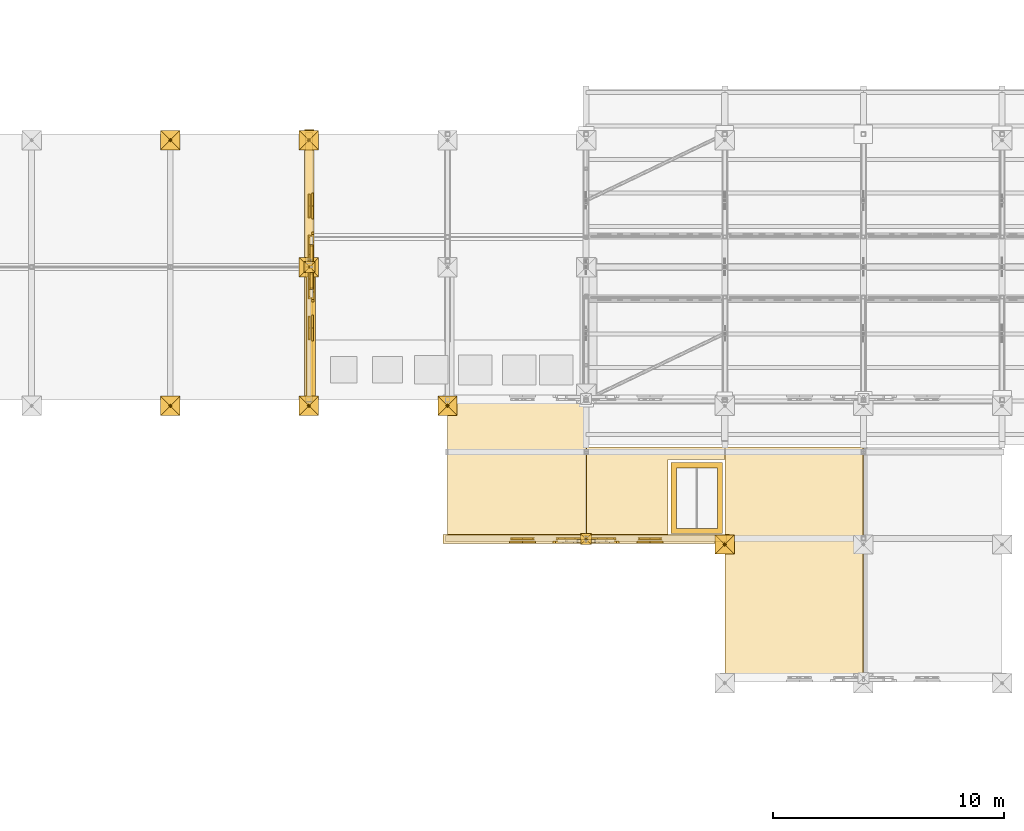
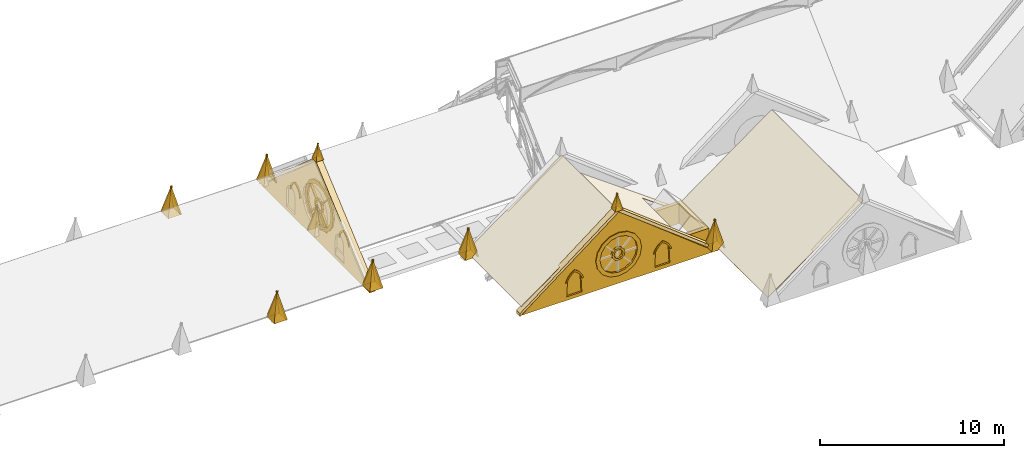
# One storey, part 26 of 33: 63 coverings.
"""IFC4 building model written with IfcOpenShell, lengths in metres."""

from ifc_helpers import new_model, si_unit, direction, frame, origin, origin_2d, place, context, subcontext, project, spatial, polyline, rectangle, outline, extrude, material, type_object, element, save


model = new_model("IFC4")

# Units and contexts
model_context = context("Model", 3, precision=1e-05, world=origin(), true_north=direction((0.0, 1.0)))
body_context = subcontext(model_context, "Body", "Model", "MODEL_VIEW")
ifc_project = project(units=[si_unit("LENGTHUNIT", "METRE"), si_unit("AREAUNIT", "SQUARE_METRE"), si_unit("VOLUMEUNIT", "CUBIC_METRE"), si_unit("PLANEANGLEUNIT", "RADIAN"), si_unit("MASSUNIT", "GRAM", prefix="KILO")], contexts=[model_context])

# Site, building, storey
site_placement = place(None, origin())
site = spatial("IfcSite", under=ifc_project, at=site_placement, CompositionType="ELEMENT")
building_placement = place(site_placement, origin())
building = spatial("IfcBuilding", under=site, at=building_placement, Name="Cumevento Cable Car Station", CompositionType="ELEMENT")
storey_placement = place(building_placement, frame((0.0, 0.0, 22.5)))
storey = spatial("IfcBuildingStorey", under=building, at=storey_placement, Name="RF", CompositionType="ELEMENT", Elevation=22.5)

# Coverings
ifc_material_1 = material(Name="Standing-Seam Zinc-Titanium Roof Sheet", Category="steel")
covering_type_1 = type_object("IfcCoveringType", Name="Standing-Seam Zinc Roofing CV-RF01", PredefinedType="ROOFING", material=ifc_material_1)
covering_1_placement = place(storey_placement, frame((58.0, 45.0, 0.418212890625), z_axis=(-0.586959453772, 0.0, 0.809616328657), x_axis=(0.0, -1.0, 0.0)))
element("IfcCovering", 1, at=covering_1_placement, inside=storey, type_object=covering_type_1, Name="Standing-Seam Zinc Roof Covering #29", PredefinedType="ROOFING", context=body_context, shape_type="SweptSolid", body=[
    extrude(outline(polyline([(0.0, 0.0), (6.0, 0.0), (6.0, 7.392523112527002), (0.0, 7.392523112527002), (0.0, 0.0)])), origin(), (0.0, 0.0, -1.0), 0.02587890625),
])
covering_2_placement = place(storey_placement, frame((64.014892578125, 42.949951171875, 4.75732421875), z_axis=(0.586928779801, 4.0947211e-05, 0.809638564895), x_axis=(2.4033097e-05, -0.999999999162, 3.3152441e-05)))
element("IfcCovering", 2, at=covering_2_placement, inside=storey, type_object=covering_type_1, Name="Standing-Seam Zinc Roof Covering #30", PredefinedType="ROOFING", context=body_context, shape_type="SweptSolid", body=[
    extrude(outline(polyline([(0.0, 0.0), (3.9499511685636097, 1.3382955130495435e-20), (3.9499511703409826, 4.353944040928056), (0.5300292982080296, 4.353944040928056), (0.530029284962468, 7.3925231072215976), (-1.1468188713774363e-08, 7.3925231072215976), (0.0, 0.0)])), origin(), (0.0, 0.0, -1.0), 0.02587890625),
])
covering_3_placement = place(storey_placement, frame((70.0, 42.949951171875, 0.43310546875), z_axis=(-0.586959453772, 0.0, 0.809616328657), x_axis=(0.0, -1.0, 0.0)))
element("IfcCovering", 3, at=covering_3_placement, inside=storey, type_object=covering_type_1, Name="Standing-Seam Zinc Roof Covering #31", PredefinedType="ROOFING", context=body_context, shape_type="SweptSolid", body=[
    extrude(outline(polyline([(0.0, 0.0), (9.949951171875, 0.0), (9.949951171875, 7.392523112527002), (0.0, 7.392523112527002), (0.0, 0.0)])), origin(), (0.0, 0.0, -1.0), 0.02587890625),
])
ifc_material_2 = material(Name="Gnaisse Facoidal Stone Ashlar 85 MPa", Category="masonry")
covering_type_2 = type_object("IfcCoveringType", Name="Gnaisse Ashlar Cladding CV-CL01", PredefinedType="CLADDING", material=ifc_material_2)
for number, where, z_axis, x_axis, name in (
    (4, (45.580078125, 45.159912109375, 0.3701171875), (0.0, 0.973845107191, 0.227212911607), (1.0, 0.0, 0.0), "Gothic Buttress Pinnacle Spire Facet 1 bt:46.0:45.0"),
    (5, (46.419921875, 45.159912109375, 0.3701171875), (0.973845107191, 0.0, 0.227212911607), (0.0, -1.0, 0.0), "Gothic Buttress Pinnacle Spire Facet 2 bt:46.0:45.0"),
    (6, (46.419921875, 44.320068359375, 0.3701171875), (0.0, -0.973845107191, 0.227212911607), (-1.0, 0.0, 0.0), "Gothic Buttress Pinnacle Spire Facet 3 bt:46.0:45.0"),
    (7, (45.580078125, 44.320068359375, 0.3701171875), (-0.973845107191, 0.0, 0.227212911607), (0.0, 1.0, 0.0), "Gothic Buttress Pinnacle Spire Facet 4 bt:46.0:45.0"),
    (8, (45.580078125, 56.659912109375, 0.3701171875), (0.0, 0.973845107191, 0.227212911607), (1.0, 0.0, 0.0), "Gothic Buttress Pinnacle Spire Facet 1 bt:46.0:56.5"),
    (9, (46.419921875, 56.659912109375, 0.3701171875), (0.973845107191, 0.0, 0.227212911607), (0.0, -1.0, 0.0), "Gothic Buttress Pinnacle Spire Facet 2 bt:46.0:56.5"),
    (10, (46.419921875, 55.820068359375, 0.3701171875), (0.0, -0.973845107191, 0.227212911607), (-1.0, 0.0, 0.0), "Gothic Buttress Pinnacle Spire Facet 3 bt:46.0:56.5"),
    (11, (45.580078125, 55.820068359375, 0.3701171875), (-0.973845107191, 0.0, 0.227212911607), (0.0, 1.0, 0.0), "Gothic Buttress Pinnacle Spire Facet 4 bt:46.0:56.5"),
    (12, (51.580078125, 45.159912109375, 0.3701171875), (0.0, 0.973845107191, 0.227212911607), (1.0, 0.0, 0.0), "Gothic Buttress Pinnacle Spire Facet 1 bt:52.0:45.0"),
    (13, (52.419921875, 45.159912109375, 0.3701171875), (0.973845107191, 0.0, 0.227212911607), (0.0, -1.0, 0.0), "Gothic Buttress Pinnacle Spire Facet 2 bt:52.0:45.0"),
    (14, (52.419921875, 44.320068359375, 0.3701171875), (0.0, -0.973845107191, 0.227212911607), (-1.0, 0.0, 0.0), "Gothic Buttress Pinnacle Spire Facet 3 bt:52.0:45.0"),
    (15, (51.580078125, 44.320068359375, 0.3701171875), (-0.973845107191, 0.0, 0.227212911607), (0.0, 1.0, 0.0), "Gothic Buttress Pinnacle Spire Facet 4 bt:52.0:45.0"),
    (16, (51.580078125, 51.159912109375, 0.3701171875), (0.0, 0.973845107191, 0.227212911607), (1.0, 0.0, 0.0), "Gothic Buttress Pinnacle Spire Facet 1 bt:52.0:51.0"),
    (17, (52.419921875, 51.159912109375, 0.3701171875), (0.973845107191, 0.0, 0.227212911607), (0.0, -1.0, 0.0), "Gothic Buttress Pinnacle Spire Facet 2 bt:52.0:51.0"),
    (18, (52.419921875, 50.320068359375, 0.3701171875), (0.0, -0.973845107191, 0.227212911607), (-1.0, 0.0, 0.0), "Gothic Buttress Pinnacle Spire Facet 3 bt:52.0:51.0"),
    (19, (51.580078125, 50.320068359375, 0.3701171875), (-0.973845107191, 0.0, 0.227212911607), (0.0, 1.0, 0.0), "Gothic Buttress Pinnacle Spire Facet 4 bt:52.0:51.0"),
    (20, (51.580078125, 56.659912109375, 0.3701171875), (0.0, 0.973845107191, 0.227212911607), (1.0, 0.0, 0.0), "Gothic Buttress Pinnacle Spire Facet 1 bt:52.0:56.5"),
    (21, (52.419921875, 56.659912109375, 0.3701171875), (0.973845107191, 0.0, 0.227212911607), (0.0, -1.0, 0.0), "Gothic Buttress Pinnacle Spire Facet 2 bt:52.0:56.5"),
    (22, (52.419921875, 55.820068359375, 0.3701171875), (0.0, -0.973845107191, 0.227212911607), (-1.0, 0.0, 0.0), "Gothic Buttress Pinnacle Spire Facet 3 bt:52.0:56.5"),
    (23, (51.580078125, 55.820068359375, 0.3701171875), (-0.973845107191, 0.0, 0.227212911607), (0.0, 1.0, 0.0), "Gothic Buttress Pinnacle Spire Facet 4 bt:52.0:56.5"),
    (24, (57.580078125, 45.159912109375, 0.3701171875), (0.0, 0.973845107191, 0.227212911607), (1.0, 0.0, 0.0), "Gothic Buttress Pinnacle Spire Facet 1 bt:58.0:45.0"),
    (25, (58.419921875, 45.159912109375, 0.3701171875), (0.973845107191, 0.0, 0.227212911607), (0.0, -1.0, 0.0), "Gothic Buttress Pinnacle Spire Facet 2 bt:58.0:45.0"),
    (26, (58.419921875, 44.320068359375, 0.3701171875), (0.0, -0.973845107191, 0.227212911607), (-1.0, 0.0, 0.0), "Gothic Buttress Pinnacle Spire Facet 3 bt:58.0:45.0"),
    (27, (57.580078125, 44.320068359375, 0.3701171875), (-0.973845107191, 0.0, 0.227212911607), (0.0, 1.0, 0.0), "Gothic Buttress Pinnacle Spire Facet 4 bt:58.0:45.0"),
    (28, (69.580078125, 39.159912109375, 0.3701171875), (0.0, 0.973845107191, 0.227212911607), (1.0, 0.0, 0.0), "Gothic Buttress Pinnacle Spire Facet 1 bt:70.0:39.0"),
    (29, (70.419921875, 39.159912109375, 0.3701171875), (0.973845107191, 0.0, 0.227212911607), (0.0, -1.0, 0.0), "Gothic Buttress Pinnacle Spire Facet 2 bt:70.0:39.0"),
    (30, (70.419921875, 38.320068359375, 0.3701171875), (0.0, -0.973845107191, 0.227212911607), (-1.0, 0.0, 0.0), "Gothic Buttress Pinnacle Spire Facet 3 bt:70.0:39.0"),
    (31, (69.580078125, 38.320068359375, 0.3701171875), (-0.973845107191, 0.0, 0.227212911607), (0.0, 1.0, 0.0), "Gothic Buttress Pinnacle Spire Facet 4 bt:70.0:39.0"),
):
    element("IfcCovering", number, at=place(storey_placement, frame(where, z_axis=z_axis, x_axis=x_axis)), inside=storey, type_object=covering_type_2, Name=name, PredefinedType="CLADDING", context=body_context, shape_type="SweptSolid", body=[
        extrude(outline(polyline([(0.0, 0.0), (0.83984375, 0.0), (0.419921875, -1.848142660686801), (0.0, 0.0)])), origin(), (0.0, 0.0, -1.0), 0.0849609375),
    ])
covering_4_placement = place(storey_placement, frame((52.090087890625, 48.0, -0.01708984375), z_axis=(0.0, 0.0, 1.0), x_axis=(0.0, 1.0, 0.0)))
element("IfcCovering", 32, at=covering_4_placement, inside=storey, type_object=covering_type_2, Name="Gothic Stone Spandrel Stringcourse sc:0876", PredefinedType="CLADDING", context=body_context, shape_type="SweptSolid", body=[
    extrude(rectangle(XDim=6.06005859375, YDim=0.3798828125, at=origin_2d()), origin(), (0.0, 0.0, 1.0), 0.656982421875),
])
placement_1 = place(storey_placement, frame((70.0, 39.0, 0.0), z_axis=(0.0, 0.0, 1.0), x_axis=(-1.0, 0.0, 0.0)))
element("IfcCovering", 33, at=placement_1, inside=storey, type_object=covering_type_2, Name="Gothic Stone Gable Tympanum wing_B_V2c_S", PredefinedType="CLADDING", context=body_context, shape_type="SweptSolid", body=[
    extrude(outline(polyline([(-0.080078125, -0.06005859375), (12.080078125, -0.06005859375), (6.0, 4.7099609375), (-0.080078125, -0.06005859375)]), holes=[polyline([(7.25, 1.898193359375), (7.155029296875, 2.376708984375), (6.884033203125, 2.7822265625), (6.478271484375, 3.05322265625), (6.0, 3.1484375), (5.521728515625, 3.05322265625), (5.115966796875, 2.7822265625), (4.844970703125, 2.376708984375), (4.75, 1.898193359375), (4.844970703125, 1.419921875), (5.115966796875, 1.014404296875), (5.521728515625, 0.743408203125), (6.0, 0.648193359375), (6.478271484375, 0.743408203125), (6.884033203125, 1.014404296875), (7.155029296875, 1.419921875), (7.25, 1.898193359375)]), polyline([(2.764892578125, 0.179931640625), (3.715087890625, 0.179931640625), (3.660400390625, 1.26611328125), (3.583251953125, 1.399169921875), (3.48583984375, 1.517822265625), (3.370361328125, 1.619140625), (3.239990234375, 1.700439453125), (3.109619140625, 1.619140625), (2.994140625, 1.517822265625), (2.896728515625, 1.399169921875), (2.819580078125, 1.26611328125), (2.764892578125, 0.179931640625)]), polyline([(8.284912109375, 0.179931640625), (9.235107421875, 0.179931640625), (9.180419921875, 1.26611328125), (9.103271484375, 1.399169921875), (9.005859375, 1.517822265625), (8.890380859375, 1.619140625), (8.760009765625, 1.700439453125), (8.629638671875, 1.619140625), (8.51416015625, 1.517822265625), (8.416748046875, 1.399169921875), (8.339599609375, 1.26611328125), (8.284912109375, 0.179931640625)])]), frame((0.0, 0.159912109375, 0.0), z_axis=(0.0, -1.0, 0.0), x_axis=(1.0, 0.0, 0.0)), (0.0, 0.0, 1.0), 0.300048828125),
])
element("IfcCovering", 34, at=placement_1, inside=storey, type_object=covering_type_2, Name="Gothic Gable Recessed Tracery Backing wing_B_V2c_S rose", PredefinedType="CLADDING", context=body_context, shape_type="SweptSolid", body=[
    extrude(outline(polyline([(7.2900390625, 1.898193359375), (7.19189453125, 2.39208984375), (6.912353515625, 2.810546875), (6.49365234375, 3.090087890625), (6.0, 3.1884765625), (5.50634765625, 3.090087890625), (5.087646484375, 2.810546875), (4.80810546875, 2.39208984375), (4.7099609375, 1.898193359375), (4.80810546875, 1.404541015625), (5.087646484375, 0.986083984375), (5.50634765625, 0.706298828125), (6.0, 0.608154296875), (6.49365234375, 0.706298828125), (6.912353515625, 0.986083984375), (7.19189453125, 1.404541015625), (7.2900390625, 1.898193359375)])), frame((0.0, 0.050048828125, 0.0), z_axis=(0.0, -1.0, 0.0), x_axis=(1.0, 0.0, 0.0)), (0.0, 0.0, 1.0), 0.074951171875),
])
element("IfcCovering", 35, at=placement_1, inside=storey, type_object=covering_type_2, Name="Gothic Gable Recessed Tracery Backing wing_B_V2c_S lancet_0", PredefinedType="CLADDING", context=body_context, shape_type="SweptSolid", body=[
    extrude(outline(polyline([(2.735107421875, 0.14990234375), (3.7451171875, 0.14990234375), (3.68505859375, 1.2724609375), (3.602294921875, 1.409912109375), (3.49853515625, 1.5322265625), (3.376953125, 1.63671875), (3.239990234375, 1.720458984375), (3.10302734375, 1.63671875), (2.9814453125, 1.5322265625), (2.877685546875, 1.409912109375), (2.794921875, 1.2724609375), (2.735107421875, 0.14990234375)])), frame((0.0, 0.050048828125, 0.0), z_axis=(0.0, -1.0, 0.0), x_axis=(1.0, 0.0, 0.0)), (0.0, 0.0, 1.0), 0.074951171875),
])
element("IfcCovering", 36, at=placement_1, inside=storey, type_object=covering_type_2, Name="Gothic Gable Recessed Tracery Backing wing_B_V2c_S lancet_1", PredefinedType="CLADDING", context=body_context, shape_type="SweptSolid", body=[
    extrude(outline(polyline([(8.2548828125, 0.14990234375), (9.264892578125, 0.14990234375), (9.205078125, 1.2724609375), (9.122314453125, 1.409912109375), (9.0185546875, 1.5322265625), (8.89697265625, 1.63671875), (8.760009765625, 1.720458984375), (8.623046875, 1.63671875), (8.50146484375, 1.5322265625), (8.397705078125, 1.409912109375), (8.31494140625, 1.2724609375), (8.2548828125, 0.14990234375)])), frame((0.0, 0.050048828125, 0.0), z_axis=(0.0, -1.0, 0.0), x_axis=(1.0, 0.0, 0.0)), (0.0, 0.0, 1.0), 0.074951171875),
])
element("IfcCovering", 37, at=placement_1, inside=storey, type_object=covering_type_2, Name="Gothic 16-Sided Stone Rose Window Ring wing_B_V2c_S", PredefinedType="CLADDING", context=body_context, shape_type="SweptSolid", body=[
    extrude(outline(polyline([(7.43017578125, 1.898193359375), (7.3212890625, 2.445556640625), (7.01123046875, 2.909423828125), (6.54736328125, 3.219482421875), (6.0, 3.328369140625), (5.45263671875, 3.219482421875), (4.98876953125, 2.909423828125), (4.6787109375, 2.445556640625), (4.56982421875, 1.898193359375), (4.6787109375, 1.35107421875), (4.98876953125, 0.886962890625), (5.45263671875, 0.5771484375), (6.0, 0.46826171875), (6.54736328125, 0.5771484375), (7.01123046875, 0.886962890625), (7.3212890625, 1.35107421875), (7.43017578125, 1.898193359375)]), holes=[polyline([(7.18017578125, 1.898193359375), (7.09033203125, 2.349853515625), (6.83447265625, 2.732666015625), (6.45166015625, 2.988525390625), (6.0, 3.078369140625), (5.54833984375, 2.988525390625), (5.16552734375, 2.732666015625), (4.90966796875, 2.349853515625), (4.81982421875, 1.898193359375), (4.90966796875, 1.44677734375), (5.16552734375, 1.06396484375), (5.54833984375, 0.80810546875), (6.0, 0.71826171875), (6.45166015625, 0.80810546875), (6.83447265625, 1.06396484375), (7.09033203125, 1.44677734375), (7.18017578125, 1.898193359375)])]), frame((0.0, 0.215087890625, 0.0), z_axis=(0.0, -1.0, 0.0), x_axis=(1.0, 0.0, 0.0)), (0.0, 0.0, 1.0), 0.110107421875),
])
element("IfcCovering", 38, at=placement_1, inside=storey, type_object=covering_type_2, Name="Gothic Rose Central Stone Oculus Hub wing_B_V2c_S", PredefinedType="CLADDING", context=body_context, shape_type="SweptSolid", body=[
    extrude(outline(polyline([(6.405029296875, 1.898193359375), (6.350830078125, 2.100830078125), (6.202392578125, 2.2490234375), (6.0, 2.30322265625), (5.797607421875, 2.2490234375), (5.649169921875, 2.100830078125), (5.594970703125, 1.898193359375), (5.649169921875, 1.69580078125), (5.797607421875, 1.547607421875), (6.0, 1.493408203125), (6.202392578125, 1.547607421875), (6.350830078125, 1.69580078125), (6.405029296875, 1.898193359375)]), holes=[polyline([(6.284912109375, 1.898193359375), (6.246826171875, 2.040771484375), (6.142578125, 2.14501953125), (6.0, 2.183349609375), (5.857421875, 2.14501953125), (5.753173828125, 2.040771484375), (5.715087890625, 1.898193359375), (5.753173828125, 1.755859375), (5.857421875, 1.6513671875), (6.0, 1.61328125), (6.142578125, 1.6513671875), (6.246826171875, 1.755859375), (6.284912109375, 1.898193359375)])]), frame((0.0, 0.18994140625, 0.0), z_axis=(0.0, -1.0, 0.0), x_axis=(1.0, 0.0, 0.0)), (0.0, 0.0, 1.0), 0.139892578125),
])
element("IfcCovering", 39, at=placement_1, inside=storey, type_object=covering_type_2, Name="Gable Lancet Stone Hood Moulding wing_B_V2c_S #1", PredefinedType="CLADDING", context=body_context, shape_type="SweptSolid", body=[
    extrude(outline(polyline([(2.764892578125, 1.12255859375), (2.819580078125, 1.26611328125), (2.896728515625, 1.399169921875), (2.994140625, 1.517822265625), (3.109619140625, 1.619140625), (3.239990234375, 1.700439453125), (3.370361328125, 1.619140625), (3.48583984375, 1.517822265625), (3.583251953125, 1.399169921875), (3.660400390625, 1.26611328125), (3.715087890625, 1.12255859375), (3.804931640625, 1.12255859375), (3.7412109375, 1.295654296875), (3.650146484375, 1.4560546875), (3.533935546875, 1.599365234375), (3.39599609375, 1.721923828125), (3.239990234375, 1.8203125), (3.083984375, 1.721923828125), (2.946044921875, 1.599365234375), (2.829833984375, 1.4560546875), (2.73876953125, 1.295654296875), (2.675048828125, 1.12255859375), (2.764892578125, 1.12255859375)])), frame((0.0, 0.205078125, 0.0), z_axis=(0.0, -1.0, 0.0), x_axis=(1.0, 0.0, 0.0)), (0.0, 0.0, 1.0), 0.090087890625),
])
element("IfcCovering", 40, at=placement_1, inside=storey, type_object=covering_type_2, Name="Gable Lancet Stone Hood Moulding wing_B_V2c_S #2", PredefinedType="CLADDING", context=body_context, shape_type="SweptSolid", body=[
    extrude(outline(polyline([(8.284912109375, 1.12255859375), (8.339599609375, 1.26611328125), (8.416748046875, 1.399169921875), (8.51416015625, 1.517822265625), (8.629638671875, 1.619140625), (8.760009765625, 1.700439453125), (8.890380859375, 1.619140625), (9.005859375, 1.517822265625), (9.103271484375, 1.399169921875), (9.180419921875, 1.26611328125), (9.235107421875, 1.12255859375), (9.324951171875, 1.12255859375), (9.26123046875, 1.295654296875), (9.170166015625, 1.4560546875), (9.053955078125, 1.599365234375), (8.916015625, 1.721923828125), (8.760009765625, 1.8203125), (8.60400390625, 1.721923828125), (8.466064453125, 1.599365234375), (8.349853515625, 1.4560546875), (8.2587890625, 1.295654296875), (8.195068359375, 1.12255859375), (8.284912109375, 1.12255859375)])), frame((0.0, 0.205078125, 0.0), z_axis=(0.0, -1.0, 0.0), x_axis=(1.0, 0.0, 0.0)), (0.0, 0.0, 1.0), 0.090087890625),
])
element("IfcCovering", 41, at=placement_1, inside=storey, type_object=covering_type_2, Name="Raking Gothic Stone Gable Coping wing_B_V2c_S", PredefinedType="CLADDING", context=body_context, shape_type="SweptSolid", body=[
    extrude(outline(polyline([(-0.199951171875, -0.06005859375), (6.0, 4.7099609375), (12.199951171875, -0.06005859375), (12.199951171875, 0.139892578125), (6.0, 4.949951171875), (-0.199951171875, 0.139892578125), (-0.199951171875, -0.06005859375)])), frame((0.0, 0.219970703125, 0.0), z_axis=(0.0, -1.0, 0.0), x_axis=(1.0, 0.0, 0.0)), (0.0, 0.0, 1.0), 0.39990234375),
])
for number, where, z_axis, x_axis, name in (
    (42, (64.239990234375, 39.2099609375, 4.81005859375), (0.0, 0.97486272659, 0.222806338116), (-1.0, 0.0, 0.0), "Gothic Gable Finial Spire Facet 1 wing_B_V2c_S"),
    (43, (63.760009765625, 39.2099609375, 4.81005859375), (-0.97486272659, 0.0, 0.222806338116), (0.0, -1.0, 0.0), "Gothic Gable Finial Spire Facet 2 wing_B_V2c_S"),
    (44, (63.760009765625, 38.72998046875, 4.81005859375), (0.0, -0.97486272659, 0.222806338116), (1.0, 0.0, 0.0), "Gothic Gable Finial Spire Facet 3 wing_B_V2c_S"),
    (45, (64.239990234375, 38.72998046875, 4.81005859375), (0.97486272659, 0.0, 0.222806338116), (0.0, 1.0, 0.0), "Gothic Gable Finial Spire Facet 4 wing_B_V2c_S"),
):
    element("IfcCovering", number, at=place(storey_placement, frame(where, z_axis=z_axis, x_axis=x_axis)), inside=storey, type_object=covering_type_2, Name=name, PredefinedType="CLADDING", context=body_context, shape_type="SweptSolid", body=[
        extrude(outline(polyline([(0.0, 0.0), (0.47998046875, 0.0), (0.239990234375, 1.0771248089437238), (0.0, 0.0)])), origin(), (0.0, 0.0, -1.0), 0.06494140625),
    ])
placement_2 = place(storey_placement, frame((52.0, 56.5, 0.0), z_axis=(0.0, 0.0, 1.0), x_axis=(0.0, -1.0, 0.0)))
element("IfcCovering", 46, at=placement_2, inside=storey, type_object=covering_type_2, Name="Gothic Stone Gable Tympanum wing_B_V6c_E", PredefinedType="CLADDING", context=body_context, shape_type="SweptSolid", body=[
    extrude(outline(polyline([(-0.080078125, -0.06005859375), (11.580078125, -0.06005859375), (5.75, 5.06005859375), (-0.080078125, -0.06005859375)]), holes=[polyline([(7.094482421875, 2.041748046875), (6.9921875, 2.556396484375), (6.70068359375, 2.99267578125), (6.2646484375, 3.283935546875), (5.75, 3.386474609375), (5.2353515625, 3.283935546875), (4.79931640625, 2.99267578125), (4.5078125, 2.556396484375), (4.405517578125, 2.041748046875), (4.5078125, 1.52734375), (4.79931640625, 1.091064453125), (5.2353515625, 0.799560546875), (5.75, 0.697265625), (6.2646484375, 0.799560546875), (6.70068359375, 1.091064453125), (6.9921875, 1.52734375), (7.094482421875, 2.041748046875)]), polyline([(2.6298828125, 0.179931640625), (3.580078125, 0.179931640625), (3.55810546875, 1.373779296875), (3.494384765625, 1.530029296875), (3.392578125, 1.66455078125), (3.260009765625, 1.768798828125), (3.10498046875, 1.83544921875), (2.949951171875, 1.768798828125), (2.8173828125, 1.66455078125), (2.715576171875, 1.530029296875), (2.65185546875, 1.373779296875), (2.6298828125, 0.179931640625)]), polyline([(7.919921875, 0.179931640625), (8.8701171875, 0.179931640625), (8.848388671875, 1.373779296875), (8.784423828125, 1.530029296875), (8.682861328125, 1.66455078125), (8.550048828125, 1.768798828125), (8.39501953125, 1.83544921875), (8.239990234375, 1.768798828125), (8.107177734375, 1.66455078125), (8.005615234375, 1.530029296875), (7.941650390625, 1.373779296875), (7.919921875, 0.179931640625)])]), frame((0.0, 0.159912109375, 0.0), z_axis=(0.0, -1.0, 0.0), x_axis=(1.0, 0.0, 0.0)), (0.0, 0.0, 1.0), 0.300048828125),
])
element("IfcCovering", 47, at=placement_2, inside=storey, type_object=covering_type_2, Name="Gothic Gable Recessed Tracery Backing wing_B_V6c_E rose", PredefinedType="CLADDING", context=body_context, shape_type="SweptSolid", body=[
    extrude(outline(polyline([(7.134521484375, 2.041748046875), (7.029296875, 2.57177734375), (6.72900390625, 3.020751953125), (6.27978515625, 3.321044921875), (5.75, 3.426513671875), (5.22021484375, 3.321044921875), (4.77099609375, 3.020751953125), (4.470703125, 2.57177734375), (4.365478515625, 2.041748046875), (4.470703125, 1.511962890625), (4.77099609375, 1.062744140625), (5.22021484375, 0.7626953125), (5.75, 0.6572265625), (6.27978515625, 0.7626953125), (6.72900390625, 1.062744140625), (7.029296875, 1.511962890625), (7.134521484375, 2.041748046875)])), frame((0.0, 0.050048828125, 0.0), z_axis=(0.0, -1.0, 0.0), x_axis=(1.0, 0.0, 0.0)), (0.0, 0.0, 1.0), 0.074951171875),
])
element("IfcCovering", 48, at=placement_2, inside=storey, type_object=covering_type_2, Name="Gothic Gable Recessed Tracery Backing wing_B_V6c_E lancet_0", PredefinedType="CLADDING", context=body_context, shape_type="SweptSolid", body=[
    extrude(outline(polyline([(2.60009765625, 0.14990234375), (3.610107421875, 0.14990234375), (3.586669921875, 1.38232421875), (3.518310546875, 1.545166015625), (3.409912109375, 1.684326171875), (3.268798828125, 1.790283203125), (3.10498046875, 1.85546875), (2.941162109375, 1.790283203125), (2.800048828125, 1.684326171875), (2.691650390625, 1.545166015625), (2.623291015625, 1.38232421875), (2.60009765625, 0.14990234375)])), frame((0.0, 0.050048828125, 0.0), z_axis=(0.0, -1.0, 0.0), x_axis=(1.0, 0.0, 0.0)), (0.0, 0.0, 1.0), 0.074951171875),
])
element("IfcCovering", 49, at=placement_2, inside=storey, type_object=covering_type_2, Name="Gothic Gable Recessed Tracery Backing wing_B_V6c_E lancet_1", PredefinedType="CLADDING", context=body_context, shape_type="SweptSolid", body=[
    extrude(outline(polyline([(7.889892578125, 0.14990234375), (8.89990234375, 0.14990234375), (8.876708984375, 1.38232421875), (8.80859375, 1.545166015625), (8.699951171875, 1.684326171875), (8.558837890625, 1.790283203125), (8.39501953125, 1.85546875), (8.231201171875, 1.790283203125), (8.090087890625, 1.684326171875), (7.9814453125, 1.545166015625), (7.913330078125, 1.38232421875), (7.889892578125, 0.14990234375)])), frame((0.0, 0.050048828125, 0.0), z_axis=(0.0, -1.0, 0.0), x_axis=(1.0, 0.0, 0.0)), (0.0, 0.0, 1.0), 0.074951171875),
])
element("IfcCovering", 50, at=placement_2, inside=storey, type_object=covering_type_2, Name="Gothic 16-Sided Stone Rose Window Ring wing_B_V6c_E", PredefinedType="CLADDING", context=body_context, shape_type="SweptSolid", body=[
    extrude(outline(polyline([(7.274658203125, 2.041748046875), (7.158447265625, 2.625244140625), (6.828125, 3.119873046875), (6.33349609375, 3.450439453125), (5.75, 3.56640625), (5.16650390625, 3.450439453125), (4.671875, 3.119873046875), (4.341552734375, 2.625244140625), (4.225341796875, 2.041748046875), (4.341552734375, 1.458251953125), (4.671875, 0.963623046875), (5.16650390625, 0.63330078125), (5.75, 0.51708984375), (6.33349609375, 0.63330078125), (6.828125, 0.963623046875), (7.158447265625, 1.458251953125), (7.274658203125, 2.041748046875)]), holes=[polyline([(7.024658203125, 2.041748046875), (6.927490234375, 2.529541015625), (6.6513671875, 2.943115234375), (6.23779296875, 3.219482421875), (5.75, 3.31640625), (5.26220703125, 3.219482421875), (4.8486328125, 2.943115234375), (4.572509765625, 2.529541015625), (4.475341796875, 2.041748046875), (4.572509765625, 1.553955078125), (4.8486328125, 1.140625), (5.26220703125, 0.8642578125), (5.75, 0.76708984375), (6.23779296875, 0.8642578125), (6.6513671875, 1.140625), (6.927490234375, 1.553955078125), (7.024658203125, 2.041748046875)])]), frame((0.0, 0.215087890625, 0.0), z_axis=(0.0, -1.0, 0.0), x_axis=(1.0, 0.0, 0.0)), (0.0, 0.0, 1.0), 0.110107421875),
])
element("IfcCovering", 51, at=placement_2, inside=storey, type_object=covering_type_2, Name="Gothic Rose Central Stone Oculus Hub wing_B_V6c_E", PredefinedType="CLADDING", context=body_context, shape_type="SweptSolid", body=[
    extrude(outline(polyline([(6.1796875, 2.041748046875), (6.1220703125, 2.256591796875), (5.96484375, 2.413818359375), (5.75, 2.471435546875), (5.53515625, 2.413818359375), (5.3779296875, 2.256591796875), (5.3203125, 2.041748046875), (5.3779296875, 1.826904296875), (5.53515625, 1.669677734375), (5.75, 1.6123046875), (5.96484375, 1.669677734375), (6.1220703125, 1.826904296875), (6.1796875, 2.041748046875)]), holes=[polyline([(6.0595703125, 2.041748046875), (6.01806640625, 2.196533203125), (5.90478515625, 2.309814453125), (5.75, 2.351318359375), (5.59521484375, 2.309814453125), (5.48193359375, 2.196533203125), (5.4404296875, 2.041748046875), (5.48193359375, 1.886962890625), (5.59521484375, 1.773681640625), (5.75, 1.732177734375), (5.90478515625, 1.773681640625), (6.01806640625, 1.886962890625), (6.0595703125, 2.041748046875)])]), frame((0.0, 0.18994140625, 0.0), z_axis=(0.0, -1.0, 0.0), x_axis=(1.0, 0.0, 0.0)), (0.0, 0.0, 1.0), 0.139892578125),
])
element("IfcCovering", 52, at=placement_2, inside=storey, type_object=covering_type_2, Name="Gothic Rose Stone Tracery Mullion wing_B_V6c_E #2", PredefinedType="CLADDING", context=body_context, shape_type="SweptSolid", body=[
    extrude(outline(polyline([(5.986572265625, 2.342041015625), (6.65478515625, 3.01025390625), (6.718505859375, 2.946533203125), (6.05029296875, 2.2783203125), (5.986572265625, 2.342041015625)])), frame((0.0, 0.18505859375, 0.0), z_axis=(0.0, -1.0, 0.0), x_axis=(1.0, 0.0, 0.0)), (0.0, 0.0, 1.0), 0.1298828125),
])
element("IfcCovering", 53, at=placement_2, inside=storey, type_object=covering_type_2, Name="Gothic Rose Stone Tracery Mullion wing_B_V6c_E #4", PredefinedType="CLADDING", context=body_context, shape_type="SweptSolid", body=[
    extrude(outline(polyline([(5.44970703125, 2.2783203125), (4.781494140625, 2.946533203125), (4.84521484375, 3.01025390625), (5.513427734375, 2.342041015625), (5.44970703125, 2.2783203125)])), frame((0.0, 0.18505859375, 0.0), z_axis=(0.0, -1.0, 0.0), x_axis=(1.0, 0.0, 0.0)), (0.0, 0.0, 1.0), 0.1298828125),
])
element("IfcCovering", 54, at=placement_2, inside=storey, type_object=covering_type_2, Name="Gothic Rose Stone Tracery Mullion wing_B_V6c_E #6", PredefinedType="CLADDING", context=body_context, shape_type="SweptSolid", body=[
    extrude(outline(polyline([(5.513427734375, 1.741455078125), (4.84521484375, 1.0732421875), (4.781494140625, 1.136962890625), (5.44970703125, 1.80517578125), (5.513427734375, 1.741455078125)])), frame((0.0, 0.18505859375, 0.0), z_axis=(0.0, -1.0, 0.0), x_axis=(1.0, 0.0, 0.0)), (0.0, 0.0, 1.0), 0.1298828125),
])
element("IfcCovering", 55, at=placement_2, inside=storey, type_object=covering_type_2, Name="Gothic Rose Stone Tracery Mullion wing_B_V6c_E #8", PredefinedType="CLADDING", context=body_context, shape_type="SweptSolid", body=[
    extrude(outline(polyline([(6.05029296875, 1.80517578125), (6.718505859375, 1.136962890625), (6.65478515625, 1.0732421875), (5.986572265625, 1.741455078125), (6.05029296875, 1.80517578125)])), frame((0.0, 0.18505859375, 0.0), z_axis=(0.0, -1.0, 0.0), x_axis=(1.0, 0.0, 0.0)), (0.0, 0.0, 1.0), 0.1298828125),
])
element("IfcCovering", 56, at=placement_2, inside=storey, type_object=covering_type_2, Name="Gable Lancet Stone Hood Moulding wing_B_V6c_E #1", PredefinedType="CLADDING", context=body_context, shape_type="SweptSolid", body=[
    extrude(outline(polyline([(2.6298828125, 1.20654296875), (2.65185546875, 1.373779296875), (2.715576171875, 1.530029296875), (2.8173828125, 1.66455078125), (2.949951171875, 1.768798828125), (3.10498046875, 1.83544921875), (3.260009765625, 1.768798828125), (3.392578125, 1.66455078125), (3.494384765625, 1.530029296875), (3.55810546875, 1.373779296875), (3.580078125, 1.20654296875), (3.669921875, 1.20654296875), (3.64404296875, 1.405517578125), (3.568115234375, 1.591552734375), (3.447265625, 1.751708984375), (3.289306640625, 1.8759765625), (3.10498046875, 1.95556640625), (2.920654296875, 1.8759765625), (2.7626953125, 1.751708984375), (2.641845703125, 1.591552734375), (2.56591796875, 1.405517578125), (2.5400390625, 1.20654296875), (2.6298828125, 1.20654296875)])), frame((0.0, 0.205078125, 0.0), z_axis=(0.0, -1.0, 0.0), x_axis=(1.0, 0.0, 0.0)), (0.0, 0.0, 1.0), 0.090087890625),
])
element("IfcCovering", 57, at=placement_2, inside=storey, type_object=covering_type_2, Name="Gable Lancet Stone Hood Moulding wing_B_V6c_E #2", PredefinedType="CLADDING", context=body_context, shape_type="SweptSolid", body=[
    extrude(outline(polyline([(7.919921875, 1.20654296875), (7.941650390625, 1.373779296875), (8.005615234375, 1.530029296875), (8.107177734375, 1.66455078125), (8.239990234375, 1.768798828125), (8.39501953125, 1.83544921875), (8.550048828125, 1.768798828125), (8.682861328125, 1.66455078125), (8.784423828125, 1.530029296875), (8.848388671875, 1.373779296875), (8.8701171875, 1.20654296875), (8.9599609375, 1.20654296875), (8.93408203125, 1.405517578125), (8.858154296875, 1.591552734375), (8.7373046875, 1.751708984375), (8.579345703125, 1.8759765625), (8.39501953125, 1.95556640625), (8.210693359375, 1.8759765625), (8.052734375, 1.751708984375), (7.931884765625, 1.591552734375), (7.85595703125, 1.405517578125), (7.830078125, 1.20654296875), (7.919921875, 1.20654296875)])), frame((0.0, 0.205078125, 0.0), z_axis=(0.0, -1.0, 0.0), x_axis=(1.0, 0.0, 0.0)), (0.0, 0.0, 1.0), 0.090087890625),
])
element("IfcCovering", 58, at=placement_2, inside=storey, type_object=covering_type_2, Name="Raking Gothic Stone Gable Coping wing_B_V6c_E", PredefinedType="CLADDING", context=body_context, shape_type="SweptSolid", body=[
    extrude(outline(polyline([(-0.199951171875, -0.06005859375), (5.75, 5.06005859375), (11.699951171875, -0.06005859375), (11.699951171875, 0.139892578125), (5.75, 5.300048828125), (-0.199951171875, 0.139892578125), (-0.199951171875, -0.06005859375)])), frame((0.0, 0.219970703125, 0.0), z_axis=(0.0, -1.0, 0.0), x_axis=(1.0, 0.0, 0.0)), (0.0, 0.0, 1.0), 0.39990234375),
])
for number, where, z_axis, x_axis, name in (
    (59, (51.7900390625, 50.989990234375, 5.159912109375), (-0.97486272659, 0.0, 0.222806338116), (0.0, -1.0, 0.0), "Gothic Gable Finial Spire Facet 1 wing_B_V6c_E"),
    (60, (51.7900390625, 50.510009765625, 5.159912109375), (0.0, -0.97486272659, 0.222806338116), (1.0, 0.0, 0.0), "Gothic Gable Finial Spire Facet 2 wing_B_V6c_E"),
    (61, (52.27001953125, 50.510009765625, 5.159912109375), (0.97486272659, 0.0, 0.222806338116), (0.0, 1.0, 0.0), "Gothic Gable Finial Spire Facet 3 wing_B_V6c_E"),
    (62, (52.27001953125, 50.989990234375, 5.159912109375), (0.0, 0.97486272659, 0.222806338116), (-1.0, 0.0, 0.0), "Gothic Gable Finial Spire Facet 4 wing_B_V6c_E"),
):
    element("IfcCovering", number, at=place(storey_placement, frame(where, z_axis=z_axis, x_axis=x_axis)), inside=storey, type_object=covering_type_2, Name=name, PredefinedType="CLADDING", context=body_context, shape_type="SweptSolid", body=[
        extrude(outline(polyline([(0.0, 0.0), (0.47998046875, 0.0), (0.239990234375, 1.0771248089437238), (0.0, 0.0)])), origin(), (0.0, 0.0, -1.0), 0.06494140625),
    ])
covering_27_placement = place(storey_placement, frame((0.0, 0.0, -0.030029296875)))
element("IfcCovering", 63, at=covering_27_placement, inside=storey, type_object=covering_type_2, Name="Gothic Stone Lift Overrun Turret #1", PredefinedType="CLADDING", context=body_context, shape_type="SweptSolid", body=[
    extrude(outline(polyline([(67.679931640625, 39.219970703125), (67.679931640625, 42.280029296875), (69.89990234375, 42.280029296875), (69.89990234375, 39.219970703125), (67.679931640625, 39.219970703125)]), holes=[polyline([(69.679931640625, 42.06005859375), (67.89990234375, 42.06005859375), (67.89990234375, 39.43994140625), (69.679931640625, 39.43994140625), (69.679931640625, 42.06005859375)])]), origin(), (0.0, 0.0, 1.0), 1.320068359375),
])

save(model, "model.ifc")
